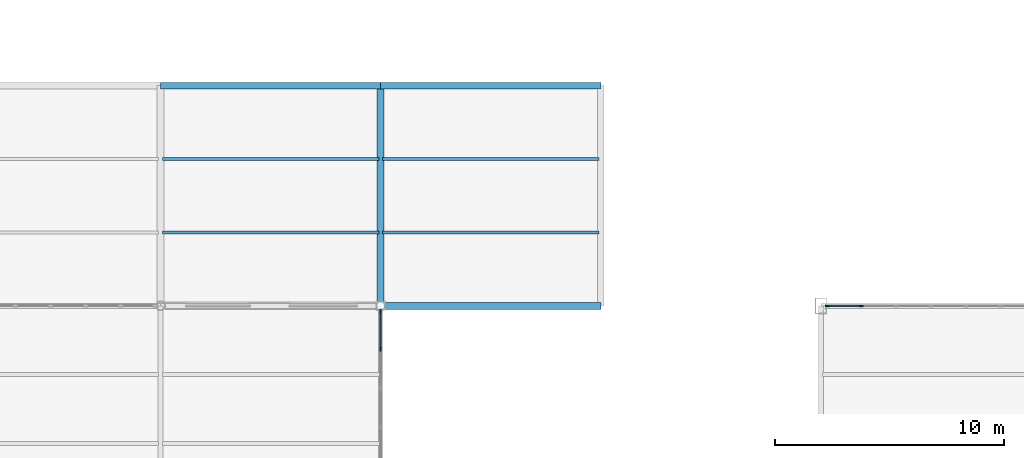
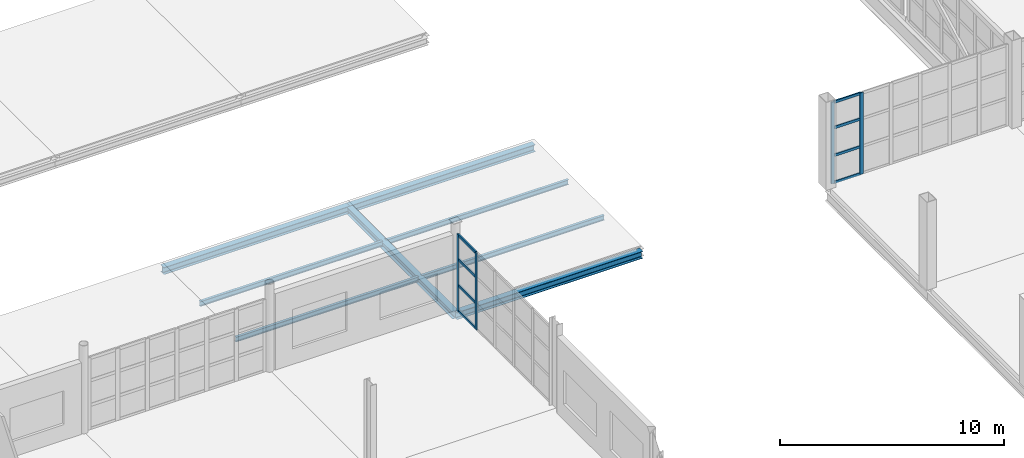
# One storey, part 39 of 120: 12 members, 8 beams, 2 elements without a shape of their own.
"""IFC4 building model written with IfcOpenShell, lengths in metres."""

from ifc_helpers import new_model, si_unit, direction, frame, origin, origin_2d, place, context, subcontext, project, spatial, rectangle, i_section, extrude, material, layer, layer_set, material_profile, profile_set, type_object, element, aggregate, save


model = new_model("IFC4")

# Units and contexts
model_context = context("Model", 3, precision=1e-05, world=origin(), true_north=direction((0.0, 1.0)))
body_context = subcontext(model_context, "Body", "Model", "MODEL_VIEW")
ifc_project = project(units=[si_unit("LENGTHUNIT", "METRE"), si_unit("AREAUNIT", "SQUARE_METRE"), si_unit("VOLUMEUNIT", "CUBIC_METRE"), si_unit("PLANEANGLEUNIT", "RADIAN"), si_unit("MASSUNIT", "GRAM", prefix="KILO")], contexts=[model_context])

# Site, building, storey
site_placement = place(None, origin())
site = spatial("IfcSite", under=ifc_project, at=site_placement, CompositionType="ELEMENT")
building_placement = place(site_placement, origin())
building = spatial("IfcBuilding", under=site, at=building_placement, Name="Zarnetskaya Central Station", CompositionType="ELEMENT")
storey_placement = place(building_placement, frame((0.0, 0.0, 5.39990234375)))
storey = spatial("IfcBuildingStorey", under=building, at=storey_placement, Name="L01", CompositionType="ELEMENT", Elevation=5.39990234375)

# Beams
ifc_material_1 = material(Name="Steel S355", Category="steel")
ifc_material_profile_1 = material_profile(ifc_material_1, i_section(OverallWidth=0.135009765625, OverallDepth=0.27001953125, WebThickness=0.006591796875, FlangeThickness=0.01025390625, FilletRadius=0.014892578125, at=origin_2d()), Name="IPE 270")
ifc_profile_set_1 = profile_set([ifc_material_profile_1], Name="Steel S355")
beam_type_1 = type_object("IfcBeamType", Name="BM-JST-270", PredefinedType="JOIST", material=ifc_profile_set_1)
for number, where, z_axis, x_axis, name in (
    (1, (28.8798828125, 70.39990234375, -0.294921875), (1.0, 0.0, 0.0), (0.0, 1.0, 0.0), "Secondary floor beam SEC-L01-Z524-DE-910-1"),
    (2, (28.8798828125, 73.60009765625, -0.294921875), (1.0, 0.0, 0.0), (0.0, 1.0, 0.0), "Secondary floor beam SEC-L01-Z524-DE-910-2"),
):
    element("IfcBeam", number, at=place(storey_placement, frame(where, z_axis=z_axis, x_axis=x_axis)), inside=storey, type_object=beam_type_1, Name=name, PredefinedType="JOIST", context=body_context, shape_type="SweptSolid", body=[
        extrude(i_section(OverallWidth=0.135009765625, OverallDepth=0.27001953125, WebThickness=0.006591796875, FlangeThickness=0.01025390625, FilletRadius=0.014892578125, at=origin_2d()), origin(), (0.0, 0.0, 1.0), 9.440185546875),
    ])
for number, where, z_axis, x_axis, name in (
    (3, (38.47998046875, 70.39990234375, -0.294921875), (1.0, 0.0, 0.0), (0.0, 1.0, 0.0), "Secondary floor beam SEC-L01-Z524-EF-910-1"),
    (4, (38.47998046875, 73.60009765625, -0.294921875), (1.0, 0.0, 0.0), (0.0, 1.0, 0.0), "Secondary floor beam SEC-L01-Z524-EF-910-2"),
):
    element("IfcBeam", number, at=place(storey_placement, frame(where, z_axis=z_axis, x_axis=x_axis)), inside=storey, type_object=beam_type_1, Name=name, PredefinedType="JOIST", context=body_context, shape_type="SweptSolid", body=[
        extrude(i_section(OverallWidth=0.135009765625, OverallDepth=0.27001953125, WebThickness=0.006591796875, FlangeThickness=0.01025390625, FilletRadius=0.014892578125, at=origin_2d()), origin(), (0.0, 0.0, 1.0), 9.43994140625),
    ])

# Curtain wall, members
ifc_material_2 = material(Name="Low-E insulated glass", Category="glass")
ifc_layer_1 = layer(ifc_material_2, 0.16796875, Name="Low-E insulated glass", Category="glass")
ifc_layer_set_1 = layer_set([ifc_layer_1], Name="Low-E insulated glass")
curtain_wall_type_1 = type_object("IfcCurtainWallType", Name="CW-SYS-03", PredefinedType="USERDEFINED", material=ifc_layer_set_1)
curtain_wall_1_placement = place(storey_placement, origin())
curtain_wall_1 = element("IfcCurtainWall", 5, at=curtain_wall_1_placement, inside=storey, type_object=curtain_wall_type_1, Name="Curtain wall CW-L01-007", ObjectType="CURTAIN WALL", PredefinedType="USERDEFINED")
ifc_material_3 = material(Name="Anodised aluminium", Category="aluminium")
ifc_material_profile_2 = material_profile(ifc_material_3, rectangle(XDim=0.070068359375, YDim=0.179931640625, at=origin_2d()), Name="ALU MULL 70x180")
ifc_profile_set_2 = profile_set([ifc_material_profile_2], Name="Anodised aluminium")
member_type_1 = type_object("IfcMemberType", Name="CW-MULL-180", PredefinedType="MULLION", material=ifc_profile_set_2)
member_1_placement = place(storey_placement, frame((38.39990234375, 66.9619140625, 0.0), z_axis=(0.0, 0.0, 1.0), x_axis=(1.0, 0.0, 0.0)))
member_1 = element("IfcMember", 6, at=member_1_placement, type_object=member_type_1, Name="CW-12 mullion 1", PredefinedType="MULLION", context=body_context, shape_type="SweptSolid", body=[
    extrude(rectangle(XDim=0.070068359375, YDim=0.179931640625, at=origin_2d()), origin(), (0.0, 0.0, 1.0), 4.2001953125),
])
member_2_placement = place(storey_placement, frame((38.39990234375, 65.307373046875, 0.0), z_axis=(0.0, 0.0, 1.0), x_axis=(1.0, 0.0, 0.0)))
member_2 = element("IfcMember", 7, at=member_2_placement, type_object=member_type_1, Name="CW-12 mullion 2", PredefinedType="MULLION", context=body_context, shape_type="SweptSolid", body=[
    extrude(rectangle(XDim=0.070068359375, YDim=0.179931640625, at=origin_2d()), origin(), (0.0, 0.0, 1.0), 4.2001953125),
])

ifc_layer_2 = layer(ifc_material_2, 0.159912109375, Name="Low-E insulated glass", Category="glass")
ifc_layer_set_2 = layer_set([ifc_layer_2], Name="Low-E insulated glass")
curtain_wall_type_2 = type_object("IfcCurtainWallType", Name="CW-SYS-11", PredefinedType="USERDEFINED", material=ifc_layer_set_2)
curtain_wall_2_placement = place(storey_placement, origin())
curtain_wall_2 = element("IfcCurtainWall", 8, at=curtain_wall_2_placement, inside=storey, type_object=curtain_wall_type_2, Name="Curtain wall CW-L01-075", ObjectType="CURTAIN WALL", PredefinedType="USERDEFINED")
member_3_placement = place(storey_placement, frame((57.885009765625, 67.199951171875, 0.0), z_axis=(0.0, 0.0, 1.0), x_axis=(0.0, 1.0, 0.0)))
member_3 = element("IfcMember", 9, at=member_3_placement, type_object=member_type_1, Name="CW-09 mullion 1", PredefinedType="MULLION", context=body_context, shape_type="SweptSolid", body=[
    extrude(rectangle(XDim=0.070068359375, YDim=0.179931640625, at=origin_2d()), origin(), (0.0, 0.0, 1.0), 4.4501953125),
])
member_4_placement = place(storey_placement, frame((59.36669921875, 67.199951171875, 0.0), z_axis=(0.0, 0.0, 1.0), x_axis=(0.0, 1.0, 0.0)))
member_4 = element("IfcMember", 10, at=member_4_placement, type_object=member_type_1, Name="CW-09 mullion 2", PredefinedType="MULLION", context=body_context, shape_type="SweptSolid", body=[
    extrude(rectangle(XDim=0.070068359375, YDim=0.179931640625, at=origin_2d()), origin(), (0.0, 0.0, 1.0), 4.4501953125),
])

# Member
ifc_material_profile_3 = material_profile(ifc_material_3, rectangle(XDim=0.070068359375, YDim=0.139892578125, at=origin_2d()), Name="ALU TRAN 70x140")
ifc_profile_set_3 = profile_set([ifc_material_profile_3], Name="Anodised aluminium")
member_type_2 = type_object("IfcMemberType", Name="CW-TRAN-140", PredefinedType="USERDEFINED", material=ifc_profile_set_3)
member_5_placement = place(storey_placement, frame((38.39990234375, 66.9267578125, 0.03515625), z_axis=(0.0, -1.0, 0.0), x_axis=(1.0, 0.0, 0.0)))
member_5 = element("IfcMember", 11, at=member_5_placement, type_object=member_type_2, Name="CW-12 transom 1.1", ObjectType="TRANSOM", PredefinedType="USERDEFINED", context=body_context, shape_type="SweptSolid", body=[
    extrude(rectangle(XDim=0.070068359375, YDim=0.139892578125, at=origin_2d()), origin(), (0.0, 0.0, 1.0), 1.584228515625),
])

member_6_placement = place(storey_placement, frame((38.39990234375, 66.9267578125, 1.427978515625), z_axis=(0.0, -1.0, 0.0), x_axis=(1.0, 0.0, 0.0)))
member_6 = element("IfcMember", 12, at=member_6_placement, type_object=member_type_2, Name="CW-12 transom 1.2", ObjectType="TRANSOM", PredefinedType="USERDEFINED", context=body_context, shape_type="SweptSolid", body=[
    extrude(rectangle(XDim=0.070068359375, YDim=0.139892578125, at=origin_2d()), origin(), (0.0, 0.0, 1.0), 1.584228515625),
])

member_7_placement = place(storey_placement, frame((38.39990234375, 66.9267578125, 2.856201171875), z_axis=(0.0, -1.0, 0.0), x_axis=(1.0, 0.0, 0.0)))
member_7 = element("IfcMember", 13, at=member_7_placement, type_object=member_type_2, Name="CW-12 transom 1.3", ObjectType="TRANSOM", PredefinedType="USERDEFINED", context=body_context, shape_type="SweptSolid", body=[
    extrude(rectangle(XDim=0.070068359375, YDim=0.139892578125, at=origin_2d()), origin(), (0.0, 0.0, 1.0), 1.584228515625),
])

member_8_placement = place(storey_placement, frame((38.39990234375, 66.9267578125, 4.1650390625), z_axis=(0.0, -1.0, 0.0), x_axis=(1.0, 0.0, 0.0)))
member_8 = element("IfcMember", 14, at=member_8_placement, type_object=member_type_2, Name="CW-12 transom 1.4", ObjectType="TRANSOM", PredefinedType="USERDEFINED", context=body_context, shape_type="SweptSolid", body=[
    extrude(rectangle(XDim=0.070068359375, YDim=0.139892578125, at=origin_2d()), origin(), (0.0, 0.0, 1.0), 1.584228515625),
])

aggregate(curtain_wall_1, [member_1, member_2, member_5, member_6, member_7, member_8])

member_9_placement = place(storey_placement, frame((57.919921875, 67.199951171875, 0.03515625), z_axis=(1.0, 0.0, 0.0), x_axis=(0.0, 1.0, 0.0)))
member_9 = element("IfcMember", 15, at=member_9_placement, type_object=member_type_2, Name="CW-09 transom 1.1", ObjectType="TRANSOM", PredefinedType="USERDEFINED", context=body_context, shape_type="SweptSolid", body=[
    extrude(rectangle(XDim=0.070068359375, YDim=0.139892578125, at=origin_2d()), origin(), (0.0, 0.0, 1.0), 1.411865234375),
])

member_10_placement = place(storey_placement, frame((57.919921875, 67.199951171875, 1.51318359375), z_axis=(1.0, 0.0, 0.0), x_axis=(0.0, 1.0, 0.0)))
member_10 = element("IfcMember", 16, at=member_10_placement, type_object=member_type_2, Name="CW-09 transom 1.2", ObjectType="TRANSOM", PredefinedType="USERDEFINED", context=body_context, shape_type="SweptSolid", body=[
    extrude(rectangle(XDim=0.070068359375, YDim=0.139892578125, at=origin_2d()), origin(), (0.0, 0.0, 1.0), 1.411865234375),
])

member_11_placement = place(storey_placement, frame((57.919921875, 67.199951171875, 3.026123046875), z_axis=(1.0, 0.0, 0.0), x_axis=(0.0, 1.0, 0.0)))
member_11 = element("IfcMember", 17, at=member_11_placement, type_object=member_type_2, Name="CW-09 transom 1.3", ObjectType="TRANSOM", PredefinedType="USERDEFINED", context=body_context, shape_type="SweptSolid", body=[
    extrude(rectangle(XDim=0.070068359375, YDim=0.139892578125, at=origin_2d()), origin(), (0.0, 0.0, 1.0), 1.411865234375),
])

member_12_placement = place(storey_placement, frame((57.919921875, 67.199951171875, 4.4150390625), z_axis=(1.0, 0.0, 0.0), x_axis=(0.0, 1.0, 0.0)))
member_12 = element("IfcMember", 18, at=member_12_placement, type_object=member_type_2, Name="CW-09 transom 1.4", ObjectType="TRANSOM", PredefinedType="USERDEFINED", context=body_context, shape_type="SweptSolid", body=[
    extrude(rectangle(XDim=0.070068359375, YDim=0.139892578125, at=origin_2d()), origin(), (0.0, 0.0, 1.0), 1.411865234375),
])

aggregate(curtain_wall_2, [member_3, member_4, member_9, member_10, member_11, member_12])

# Beams
ifc_material_profile_4 = material_profile(ifc_material_1, i_section(OverallWidth=0.300048828125, OverallDepth=0.389892578125, WebThickness=0.010986328125, FlangeThickness=0.01904296875, FilletRadius=0.027099609375, at=origin_2d()), Name="HEA 400")
ifc_profile_set_4 = profile_set([ifc_material_profile_4], Name="Steel S355")
beam_type_2 = type_object("IfcBeamType", Name="GD-ROOF-400", PredefinedType="USERDEFINED", material=ifc_profile_set_4)
beam_placement = place(storey_placement, frame((28.800048828125, 76.800048828125, -0.35498046875), z_axis=(1.0, 0.0, 0.0), x_axis=(0.0, 1.0, 0.0)))
element("IfcBeam", 19, at=beam_placement, inside=storey, type_object=beam_type_2, Name="Grid girder GX-L01-10-DE", ObjectType="GIRDER", PredefinedType="USERDEFINED", context=body_context, shape_type="SweptSolid", body=[
    extrude(i_section(OverallWidth=0.300048828125, OverallDepth=0.389892578125, WebThickness=0.010986328125, FlangeThickness=0.01904296875, FilletRadius=0.027099609375, at=origin_2d()), origin(), (0.0, 0.0, 1.0), 9.599853515625),
])
for number, where, z_axis, x_axis, name in (
    (20, (38.39990234375, 67.199951171875, -0.35498046875), (0.0, 1.0, 0.0), (-1.0, 0.0, 0.0), "Grid girder GY-L01-E-910"),
    (21, (38.39990234375, 67.199951171875, -0.35498046875), (1.0, 0.0, 0.0), (0.0, 1.0, 0.0), "Grid girder GX-L01-9-EF"),
    (22, (38.39990234375, 76.800048828125, -0.35498046875), (1.0, 0.0, 0.0), (0.0, 1.0, 0.0), "Grid girder GX-L01-10-EF"),
):
    element("IfcBeam", number, at=place(storey_placement, frame(where, z_axis=z_axis, x_axis=x_axis)), inside=storey, type_object=beam_type_2, Name=name, ObjectType="GIRDER", PredefinedType="USERDEFINED", context=body_context, shape_type="SweptSolid", body=[
        extrude(i_section(OverallWidth=0.300048828125, OverallDepth=0.389892578125, WebThickness=0.010986328125, FlangeThickness=0.01904296875, FilletRadius=0.027099609375, at=origin_2d()), origin(), (0.0, 0.0, 1.0), 9.60009765625),
    ])

save(model, "model.ifc")
